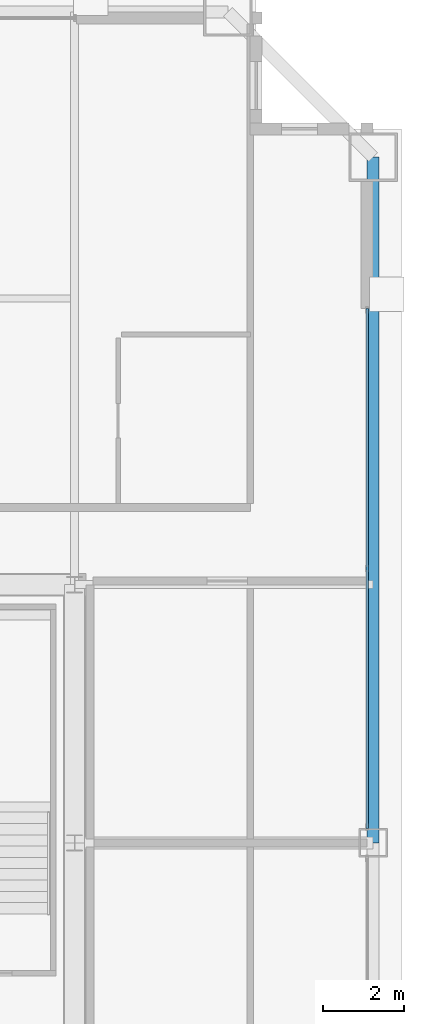
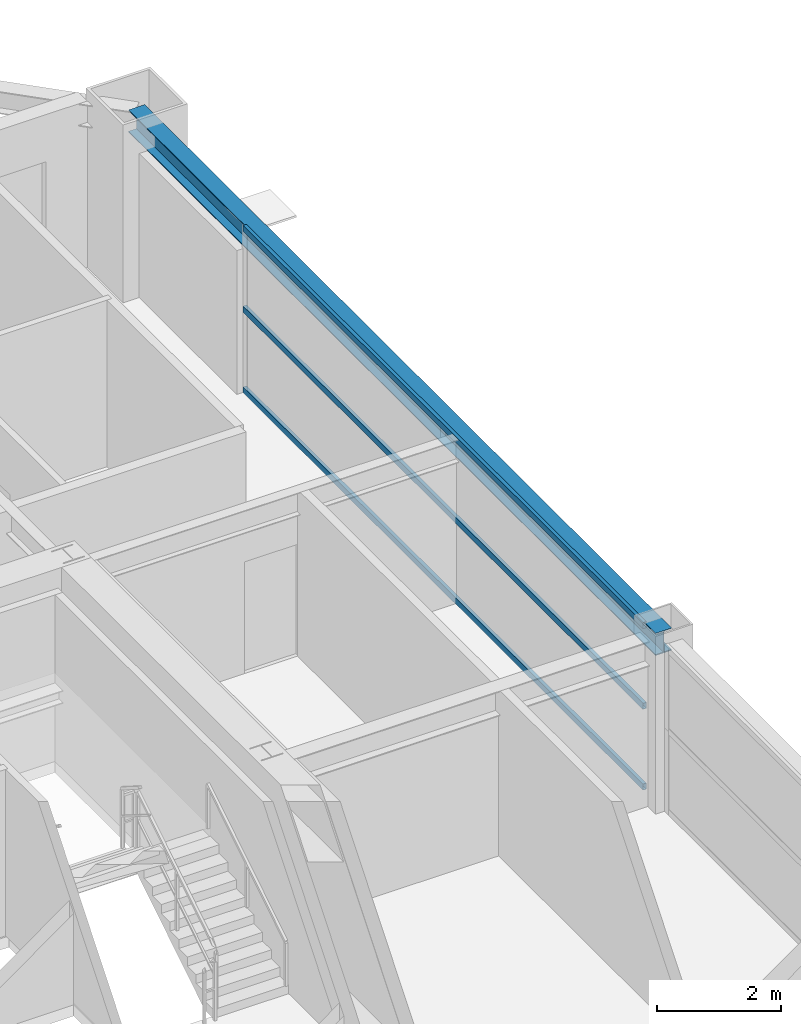
# One storey, part 21 of 36: 3 members, 1 beam, 1 element without a shape of its own.
"""IFC4 building model written with IfcOpenShell, lengths in metres."""

from ifc_helpers import new_model, si_unit, direction, frame, origin, origin_2d, place, context, subcontext, project, spatial, hollow_rectangle, i_section, extrude, source, transform, mapped, material, layer, layer_set, material_profile, profile_set, type_object, element, aggregate, save


model = new_model("IFC4")

# Units and contexts
model_context = context("Model", 3, precision=1e-05, world=origin(), true_north=direction((0.0, 1.0)))
body_context = subcontext(model_context, "Body", "Model", "MODEL_VIEW")
ifc_project = project(units=[si_unit("LENGTHUNIT", "METRE"), si_unit("AREAUNIT", "SQUARE_METRE"), si_unit("VOLUMEUNIT", "CUBIC_METRE"), si_unit("PLANEANGLEUNIT", "RADIAN"), si_unit("MASSUNIT", "GRAM", prefix="KILO"), si_unit("THERMODYNAMICTEMPERATUREUNIT", "KELVIN"), si_unit("POWERUNIT", "WATT")], contexts=[model_context])

# Site, building, storey
site_placement = place(None, origin())
site = spatial("IfcSite", under=ifc_project, at=site_placement, CompositionType="ELEMENT")
building_placement = place(site_placement, origin())
building = spatial("IfcBuilding", under=site, at=building_placement, Name="Yuzanri Waterfront Tower", CompositionType="ELEMENT")
storey_placement = place(building_placement, frame((0.0, 0.0, 231.10009765625)))
storey = spatial("IfcBuildingStorey", under=building, at=storey_placement, Name="L61", CompositionType="ELEMENT", Elevation=231.10009765625)

# Beam
ifc_material_1 = material(Name="Steel Q355B", Category="steel")
ifc_material_profile_1 = material_profile(ifc_material_1, i_section(OverallWidth=0.300048828125, OverallDepth=0.43994140625, WebThickness=0.010986328125, FlangeThickness=0.01806640625, at=origin_2d()), Name="HM 440x300x11x18")
ifc_profile_set_1 = profile_set([ifc_material_profile_1], Name="Steel Q355B")
beam_type = type_object("IfcBeamType", Name="Perimeter Spandrel Q355B HM 440x300", PredefinedType="SPANDREL", material=ifc_profile_set_1)
shared_shape_1 = source(origin(), body_context, "Body", "SweptSolid", [
    extrude(i_section(OverallWidth=0.300048828125, OverallDepth=0.43994140625, WebThickness=0.010986328125, FlangeThickness=0.01806640625, at=origin_2d()), origin(), (0.0, 0.0, 1.0), 17.0),
])
beam_placement = place(storey_placement, frame((57.60009765625, 25.800048828125, 3.059814453125), z_axis=(0.0, 1.0, 0.0), x_axis=(-1.0, 0.0, 0.0)))
element("IfcBeam", 1, at=beam_placement, inside=storey, type_object=beam_type, Name="L61 Perimeter Spandrel E2-E3", PredefinedType="SPANDREL", context=body_context, shape_type="MappedRepresentation", body=[
    mapped(shared_shape_1, transform((0.0, 0.0, 0.0), scale=1.0)),
])

# Curtain wall, members
ifc_material_2 = material(Name="Anodized Architectural Bronze", Category="metal")
ifc_layer = layer(ifc_material_2, 0.159912109375)
ifc_layer_set = layer_set([ifc_layer], Name="Anodized Architectural Bronze")
curtain_wall_type = type_object("IfcCurtainWallType", Name="Anodized Bronze Mid-Rise Residential Acoustic Unitized Curtain Wall 7200", PredefinedType="NOTDEFINED", material=ifc_layer_set)
curtain_wall_placement = place(storey_placement, origin())
curtain_wall = element("IfcCurtainWall", 2, at=curtain_wall_placement, inside=storey, type_object=curtain_wall_type, Name="L61 Curtain Wall CW-L61-ER", PredefinedType="NOTDEFINED")
ifc_material_3 = material(Name="Anodized Architectural Bronze", Category="metal")
ifc_material_profile_2 = material_profile(ifc_material_3, hollow_rectangle(XDim=0.06494140625, YDim=0.1201171875, WallThickness=0.00341796875, at=origin_2d()), Name="CWT 65x120")
ifc_profile_set_2 = profile_set([ifc_material_profile_2], Name="Anodized Architectural Bronze")
member_type = type_object("IfcMemberType", Name="Anodized Bronze Secondary Curtain-Wall Transom 65x120", PredefinedType="USERDEFINED", material=ifc_profile_set_2)
shared_shape_2 = source(origin(), body_context, "Body", "SweptSolid", [
    extrude(hollow_rectangle(XDim=0.06494140625, YDim=0.1201171875, WallThickness=0.00341796875, at=origin_2d()), origin(), (0.0, 0.0, 1.0), 12.900146484375),
])
member_1_placement = place(storey_placement, frame((57.449951171875, 26.14990234375, 0.0498046875), z_axis=(0.0, 1.0, 0.0), x_axis=(-1.0, 0.0, 0.0)))
member_1 = element("IfcMember", 3, at=member_1_placement, type_object=member_type, Name="CW-L61-ER Transom 1", ObjectType="TRANSOM", PredefinedType="USERDEFINED", context=body_context, shape_type="MappedRepresentation", body=[
    mapped(shared_shape_2, transform((0.0, 0.0, 0.0), scale=1.0)),
])
member_2_placement = place(storey_placement, frame((57.449951171875, 26.14990234375, 1.639892578125), z_axis=(0.0, 1.0, 0.0), x_axis=(-1.0, 0.0, 0.0)))
member_2 = element("IfcMember", 4, at=member_2_placement, type_object=member_type, Name="CW-L61-ER Transom 2", ObjectType="TRANSOM", PredefinedType="USERDEFINED", context=body_context, shape_type="MappedRepresentation", body=[
    mapped(shared_shape_2, transform((0.0, 0.0, 0.0), scale=1.0)),
])
member_3_placement = place(storey_placement, frame((57.449951171875, 26.14990234375, 3.22998046875), z_axis=(0.0, 1.0, 0.0), x_axis=(-1.0, 0.0, 0.0)))
member_3 = element("IfcMember", 5, at=member_3_placement, type_object=member_type, Name="CW-L61-ER Transom 3", ObjectType="TRANSOM", PredefinedType="USERDEFINED", context=body_context, shape_type="MappedRepresentation", body=[
    mapped(shared_shape_2, transform((0.0, 0.0, 0.0), scale=1.0)),
])
aggregate(curtain_wall, [member_1, member_2, member_3])

save(model, "model.ifc")
